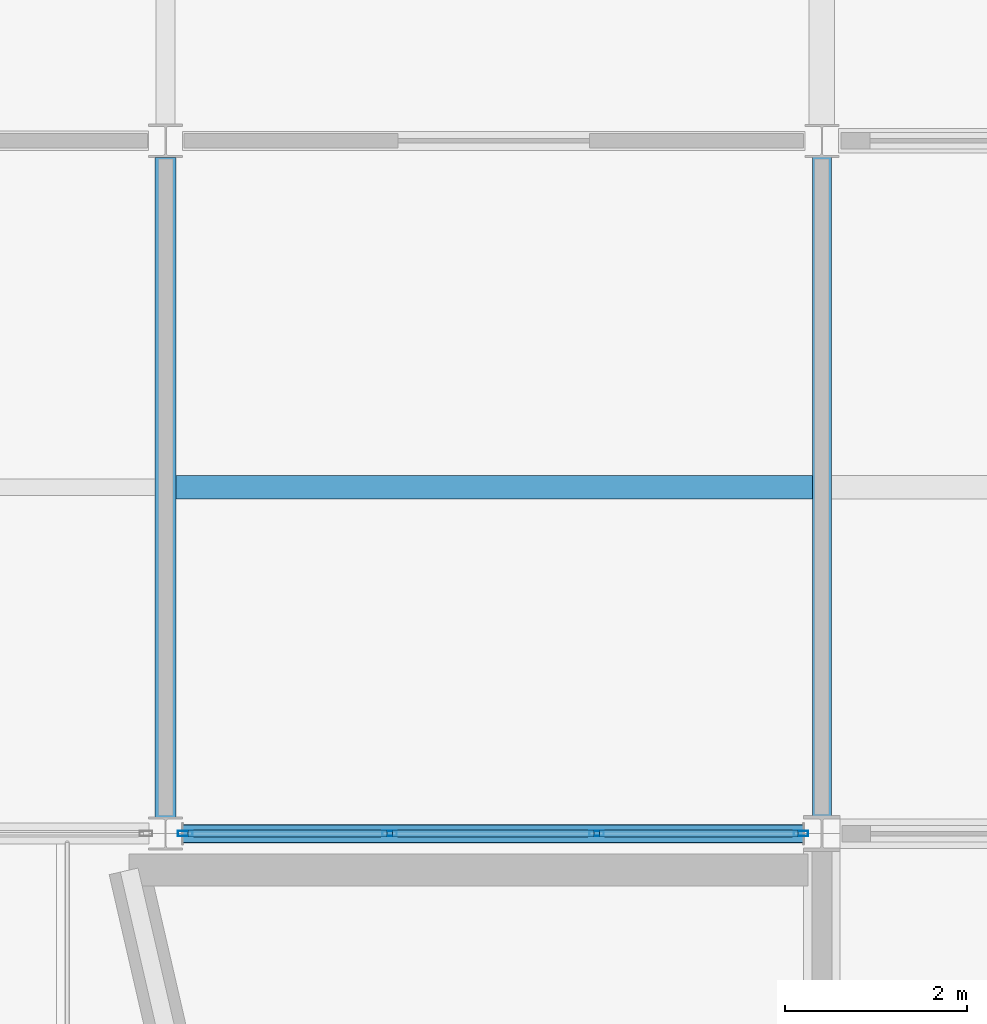
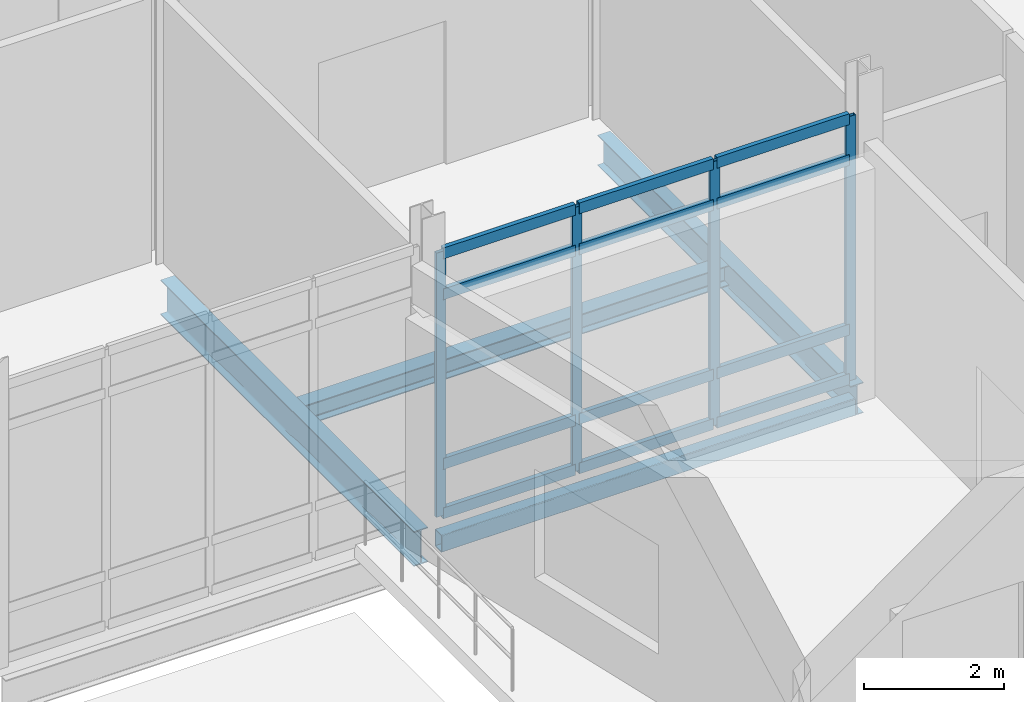
# One storey, part 29 of 229: 16 members, 4 beams, 1 element without a shape of its own.
"""IFC4 building model written with IfcOpenShell, lengths in metres."""

from ifc_helpers import new_model, si_unit, direction, frame, origin, origin_2d, place, context, subcontext, project, spatial, hollow_rectangle, i_section, extrude, material, layer, layer_set, material_profile, profile_set, type_object, element, aggregate, save


model = new_model("IFC4")

# Units and contexts
model_context = context("Model", 3, precision=1e-05, world=origin(), true_north=direction((0.0, 1.0)))
body_context = subcontext(model_context, "Body", "Model", "MODEL_VIEW")
ifc_project = project(units=[si_unit("LENGTHUNIT", "METRE"), si_unit("AREAUNIT", "SQUARE_METRE"), si_unit("VOLUMEUNIT", "CUBIC_METRE"), si_unit("PLANEANGLEUNIT", "RADIAN"), si_unit("MASSUNIT", "GRAM", prefix="KILO")], contexts=[model_context])

# Site, building, storey
site_placement = place(None, origin())
site = spatial("IfcSite", under=ifc_project, at=site_placement, CompositionType="ELEMENT")
building_placement = place(site_placement, origin())
building = spatial("IfcBuilding", under=site, at=building_placement, Name="Calvrana Isthmian Art Gallery", CompositionType="ELEMENT")
storey_placement = place(building_placement, origin())
storey = spatial("IfcBuildingStorey", under=building, at=storey_placement, Name="L00", CompositionType="ELEMENT", Elevation=0.0)

# Beams
ifc_material_1 = material(Name="Steel ASTM A992 Gr 50", Category="steel")
ifc_material_profile_1 = material_profile(ifc_material_1, i_section(OverallWidth=0.208984375, OverallDepth=0.532958984375, WebThickness=0.01025390625, FlangeThickness=0.015625, FilletRadius=0.02099609375, at=origin_2d()), Name="W21X62")
ifc_profile_set_1 = profile_set([ifc_material_profile_1], Name="Steel ASTM A992 Gr 50")
beam_type_1 = type_object("IfcBeamType", Name="BM-G-W21X62", PredefinedType="BEAM", material=ifc_profile_set_1)
beam_1_placement = place(storey_placement, frame((21.60009765625, 46.992919921875, -0.551513671875), z_axis=(0.0, 1.0, 0.0), x_axis=(-1.0, 0.0, 0.0)))
element("IfcBeam", 1, at=beam_1_placement, inside=storey, type_object=beam_type_1, Name="Girder Y L00 04/G-H", PredefinedType="BEAM", context=body_context, shape_type="SweptSolid", body=[
    extrude(i_section(OverallWidth=0.208984375, OverallDepth=0.532958984375, WebThickness=0.01025390625, FlangeThickness=0.015625, FilletRadius=0.02099609375, at=origin_2d()), origin(), (0.0, 0.0, 1.0), 7.22900390625),
])
ifc_material_profile_2 = material_profile(ifc_material_1, i_section(OverallWidth=0.22802734375, OverallDepth=0.60693359375, WebThickness=0.01123046875, FlangeThickness=0.017333984375, FilletRadius=0.02197265625, at=origin_2d()), Name="W24X76")
ifc_profile_set_2 = profile_set([ifc_material_profile_2], Name="Steel ASTM A992 Gr 50")
beam_type_2 = type_object("IfcBeamType", Name="BM-G-W24X76", PredefinedType="BEAM", material=ifc_profile_set_2)
beam_2_placement = place(storey_placement, frame((14.39990234375, 46.97802734375, -0.58837890625), z_axis=(0.0, 1.0, 0.0), x_axis=(-1.0, 0.0, 0.0)))
element("IfcBeam", 2, at=beam_2_placement, inside=storey, type_object=beam_type_2, Name="Girder Y L00 03/G-H", PredefinedType="BEAM", context=body_context, shape_type="SweptSolid", body=[
    extrude(i_section(OverallWidth=0.22802734375, OverallDepth=0.60693359375, WebThickness=0.01123046875, FlangeThickness=0.017333984375, FilletRadius=0.02197265625, at=origin_2d()), origin(), (0.0, 0.0, 1.0), 7.240478515625),
])
ifc_material_profile_3 = material_profile(ifc_material_1, i_section(OverallWidth=0.25390625, OverallDepth=0.35302734375, WebThickness=0.009521484375, FlangeThickness=0.016357421875, FilletRadius=0.01806640625, at=origin_2d()), Name="W14X61")
ifc_profile_set_3 = profile_set([ifc_material_profile_3], Name="Steel ASTM A992 Gr 50")
beam_type_3 = type_object("IfcBeamType", Name="BM-J-W14X61", PredefinedType="JOIST", material=ifc_profile_set_3)
beam_3_placement = place(storey_placement, frame((14.513916015625, 50.60009765625, -0.46142578125), z_axis=(1.0, 0.0, 0.0), x_axis=(0.0, 1.0, 0.0)))
element("IfcBeam", 3, at=beam_3_placement, inside=storey, type_object=beam_type_3, Name="Composite joist L00 bay 02-06", PredefinedType="JOIST", context=body_context, shape_type="SweptSolid", body=[
    extrude(i_section(OverallWidth=0.25390625, OverallDepth=0.35302734375, WebThickness=0.009521484375, FlangeThickness=0.016357421875, FilletRadius=0.01806640625, at=origin_2d()), origin(), (0.0, 0.0, 1.0), 6.981689453125),
])
ifc_material_2 = material(Name="Steel ASTM A500 Gr C", Category="steel")
ifc_material_profile_4 = material_profile(ifc_material_2, hollow_rectangle(XDim=0.203125, YDim=0.3046875, WallThickness=0.0126953125, OuterFilletRadius=0.02490234375, at=origin_2d()), Name="HSS305X203X12.7")
ifc_profile_set_4 = profile_set([ifc_material_profile_4], Name="Steel ASTM A500 Gr C")
beam_type_4 = type_object("IfcBeamType", Name="BM-SP-HSS305", PredefinedType="SPANDREL", material=ifc_profile_set_4)
beam_4_placement = place(storey_placement, frame((14.583984375, 46.800048828125, -0.4375), z_axis=(1.0, 0.0, 0.0), x_axis=(0.0, 1.0, 0.0)))
element("IfcBeam", 4, at=beam_4_placement, inside=storey, type_object=beam_type_4, Name="Girder X L00 03-04/G", PredefinedType="SPANDREL", context=body_context, shape_type="SweptSolid", body=[
    extrude(hollow_rectangle(XDim=0.203125, YDim=0.3046875, WallThickness=0.0126953125, OuterFilletRadius=0.02490234375, at=origin_2d()), origin(), (0.0, 0.0, 1.0), 6.81640625),
])

# Curtain wall, members
ifc_material_3 = material(Name="Anodized bronze aluminium 6063-T6", Category="aluminium")
ifc_layer = layer(ifc_material_3, 0.179931640625, Name="Anodized bronze aluminium 6063-T6")
ifc_layer_set = layer_set([ifc_layer], Name="Anodized bronze aluminium 6063-T6")
curtain_wall_type = type_object("IfcCurtainWallType", Name="CW-UNIT-068X46", PredefinedType="USERDEFINED", material=ifc_layer_set)
curtain_wall_placement = place(storey_placement, origin())
curtain_wall = element("IfcCurtainWall", 5, at=curtain_wall_placement, inside=storey, type_object=curtain_wall_type, Name="Curtain wall CW-019", ObjectType="UNITISED CURTAIN WALL", PredefinedType="USERDEFINED")
ifc_material_profile_5 = material_profile(ifc_material_3, hollow_rectangle(XDim=0.06005859375, YDim=0.159912109375, WallThickness=0.00390625, at=origin_2d()), Name="CWM60X160")
ifc_profile_set_5 = profile_set([ifc_material_profile_5], Name="Anodized bronze aluminium 6063-T6")
member_type_1 = type_object("IfcMemberType", Name="CWM-CWM60X160", PredefinedType="MULLION", material=ifc_profile_set_5)
member_1_placement = place(storey_placement, frame((21.37060546875, 46.800048828125, 0.0), z_axis=(0.0, 0.0, 1.0), x_axis=(0.0, -1.0, 0.0)))
member_1 = element("IfcMember", 6, at=member_1_placement, type_object=member_type_1, Name="CW-019 mullion 1", PredefinedType="MULLION", context=body_context, shape_type="SweptSolid", body=[
    extrude(hollow_rectangle(XDim=0.06005859375, YDim=0.159912109375, WallThickness=0.00390625, at=origin_2d()), origin(), (0.0, 0.0, 1.0), 4.60693359375),
])
member_2_placement = place(storey_placement, frame((19.12890625, 46.800048828125, 0.0), z_axis=(0.0, 0.0, 1.0), x_axis=(0.0, -1.0, 0.0)))
member_2 = element("IfcMember", 7, at=member_2_placement, type_object=member_type_1, Name="CW-019 mullion 2", PredefinedType="MULLION", context=body_context, shape_type="SweptSolid", body=[
    extrude(hollow_rectangle(XDim=0.06005859375, YDim=0.159912109375, WallThickness=0.00390625, at=origin_2d()), origin(), (0.0, 0.0, 1.0), 4.60693359375),
])
member_3_placement = place(storey_placement, frame((16.857177734375, 46.800048828125, 0.0), z_axis=(0.0, 0.0, 1.0), x_axis=(0.0, -1.0, 0.0)))
member_3 = element("IfcMember", 8, at=member_3_placement, type_object=member_type_1, Name="CW-019 mullion 3", PredefinedType="MULLION", context=body_context, shape_type="SweptSolid", body=[
    extrude(hollow_rectangle(XDim=0.06005859375, YDim=0.159912109375, WallThickness=0.00390625, at=origin_2d()), origin(), (0.0, 0.0, 1.0), 4.60693359375),
])
member_4_placement = place(storey_placement, frame((14.615478515625, 46.800048828125, 0.0), z_axis=(0.0, 0.0, 1.0), x_axis=(0.0, -1.0, 0.0)))
member_4 = element("IfcMember", 9, at=member_4_placement, type_object=member_type_1, Name="CW-019 mullion 4", PredefinedType="MULLION", context=body_context, shape_type="SweptSolid", body=[
    extrude(hollow_rectangle(XDim=0.06005859375, YDim=0.159912109375, WallThickness=0.00390625, at=origin_2d()), origin(), (0.0, 0.0, 1.0), 4.60693359375),
])
ifc_material_profile_6 = material_profile(ifc_material_3, hollow_rectangle(XDim=0.074951171875, YDim=0.18994140625, WallThickness=0.00439453125, at=origin_2d()), Name="CWT75X190")
ifc_profile_set_6 = profile_set([ifc_material_profile_6], Name="Anodized bronze aluminium 6063-T6")
member_type_2 = type_object("IfcMemberType", Name="CWT-CWT75X190", PredefinedType="USERDEFINED", material=ifc_profile_set_6)
member_5_placement = place(storey_placement, frame((21.340576171875, 46.800048828125, 0.03759765625), z_axis=(-1.0, 0.0, 0.0), x_axis=(0.0, -1.0, 0.0)))
member_5 = element("IfcMember", 10, at=member_5_placement, type_object=member_type_2, Name="CW-019 transom 1.1", ObjectType="TRANSOM", PredefinedType="USERDEFINED", context=body_context, shape_type="SweptSolid", body=[
    extrude(hollow_rectangle(XDim=0.074951171875, YDim=0.18994140625, WallThickness=0.00439453125, at=origin_2d()), origin(), (0.0, 0.0, 1.0), 2.181640625),
])
member_6_placement = place(storey_placement, frame((21.340576171875, 46.800048828125, 0.89990234375), z_axis=(-1.0, 0.0, 0.0), x_axis=(0.0, -1.0, 0.0)))
member_6 = element("IfcMember", 11, at=member_6_placement, type_object=member_type_2, Name="CW-019 transom 1.2", ObjectType="TRANSOM", PredefinedType="USERDEFINED", context=body_context, shape_type="SweptSolid", body=[
    extrude(hollow_rectangle(XDim=0.074951171875, YDim=0.18994140625, WallThickness=0.00439453125, at=origin_2d()), origin(), (0.0, 0.0, 1.0), 2.181640625),
])
member_7_placement = place(storey_placement, frame((21.340576171875, 46.800048828125, 3.85693359375), z_axis=(-1.0, 0.0, 0.0), x_axis=(0.0, -1.0, 0.0)))
member_7 = element("IfcMember", 12, at=member_7_placement, type_object=member_type_2, Name="CW-019 transom 1.3", ObjectType="TRANSOM", PredefinedType="USERDEFINED", context=body_context, shape_type="SweptSolid", body=[
    extrude(hollow_rectangle(XDim=0.074951171875, YDim=0.18994140625, WallThickness=0.00439453125, at=origin_2d()), origin(), (0.0, 0.0, 1.0), 2.181640625),
])
member_8_placement = place(storey_placement, frame((21.340576171875, 46.800048828125, 4.569580078125), z_axis=(-1.0, 0.0, 0.0), x_axis=(0.0, -1.0, 0.0)))
member_8 = element("IfcMember", 13, at=member_8_placement, type_object=member_type_2, Name="CW-019 transom 1.4", ObjectType="TRANSOM", PredefinedType="USERDEFINED", context=body_context, shape_type="SweptSolid", body=[
    extrude(hollow_rectangle(XDim=0.074951171875, YDim=0.18994140625, WallThickness=0.00439453125, at=origin_2d()), origin(), (0.0, 0.0, 1.0), 2.181640625),
])
member_9_placement = place(storey_placement, frame((19.098876953125, 46.800048828125, 0.03759765625), z_axis=(-1.0, 0.0, 0.0), x_axis=(0.0, -1.0, 0.0)))
member_9 = element("IfcMember", 14, at=member_9_placement, type_object=member_type_2, Name="CW-019 transom 2.1", ObjectType="TRANSOM", PredefinedType="USERDEFINED", context=body_context, shape_type="SweptSolid", body=[
    extrude(hollow_rectangle(XDim=0.074951171875, YDim=0.18994140625, WallThickness=0.00439453125, at=origin_2d()), origin(), (0.0, 0.0, 1.0), 2.211669921875),
])
member_10_placement = place(storey_placement, frame((19.098876953125, 46.800048828125, 0.89990234375), z_axis=(-1.0, 0.0, 0.0), x_axis=(0.0, -1.0, 0.0)))
member_10 = element("IfcMember", 15, at=member_10_placement, type_object=member_type_2, Name="CW-019 transom 2.2", ObjectType="TRANSOM", PredefinedType="USERDEFINED", context=body_context, shape_type="SweptSolid", body=[
    extrude(hollow_rectangle(XDim=0.074951171875, YDim=0.18994140625, WallThickness=0.00439453125, at=origin_2d()), origin(), (0.0, 0.0, 1.0), 2.211669921875),
])
member_11_placement = place(storey_placement, frame((19.098876953125, 46.800048828125, 3.85693359375), z_axis=(-1.0, 0.0, 0.0), x_axis=(0.0, -1.0, 0.0)))
member_11 = element("IfcMember", 16, at=member_11_placement, type_object=member_type_2, Name="CW-019 transom 2.3", ObjectType="TRANSOM", PredefinedType="USERDEFINED", context=body_context, shape_type="SweptSolid", body=[
    extrude(hollow_rectangle(XDim=0.074951171875, YDim=0.18994140625, WallThickness=0.00439453125, at=origin_2d()), origin(), (0.0, 0.0, 1.0), 2.211669921875),
])
member_12_placement = place(storey_placement, frame((19.098876953125, 46.800048828125, 4.569580078125), z_axis=(-1.0, 0.0, 0.0), x_axis=(0.0, -1.0, 0.0)))
member_12 = element("IfcMember", 17, at=member_12_placement, type_object=member_type_2, Name="CW-019 transom 2.4", ObjectType="TRANSOM", PredefinedType="USERDEFINED", context=body_context, shape_type="SweptSolid", body=[
    extrude(hollow_rectangle(XDim=0.074951171875, YDim=0.18994140625, WallThickness=0.00439453125, at=origin_2d()), origin(), (0.0, 0.0, 1.0), 2.211669921875),
])
member_13_placement = place(storey_placement, frame((16.8271484375, 46.800048828125, 0.03759765625), z_axis=(-1.0, 0.0, 0.0), x_axis=(0.0, -1.0, 0.0)))
member_13 = element("IfcMember", 18, at=member_13_placement, type_object=member_type_2, Name="CW-019 transom 3.1", ObjectType="TRANSOM", PredefinedType="USERDEFINED", context=body_context, shape_type="SweptSolid", body=[
    extrude(hollow_rectangle(XDim=0.074951171875, YDim=0.18994140625, WallThickness=0.00439453125, at=origin_2d()), origin(), (0.0, 0.0, 1.0), 2.181640625),
])
member_14_placement = place(storey_placement, frame((16.8271484375, 46.800048828125, 0.89990234375), z_axis=(-1.0, 0.0, 0.0), x_axis=(0.0, -1.0, 0.0)))
member_14 = element("IfcMember", 19, at=member_14_placement, type_object=member_type_2, Name="CW-019 transom 3.2", ObjectType="TRANSOM", PredefinedType="USERDEFINED", context=body_context, shape_type="SweptSolid", body=[
    extrude(hollow_rectangle(XDim=0.074951171875, YDim=0.18994140625, WallThickness=0.00439453125, at=origin_2d()), origin(), (0.0, 0.0, 1.0), 2.181640625),
])
member_15_placement = place(storey_placement, frame((16.8271484375, 46.800048828125, 3.85693359375), z_axis=(-1.0, 0.0, 0.0), x_axis=(0.0, -1.0, 0.0)))
member_15 = element("IfcMember", 20, at=member_15_placement, type_object=member_type_2, Name="CW-019 transom 3.3", ObjectType="TRANSOM", PredefinedType="USERDEFINED", context=body_context, shape_type="SweptSolid", body=[
    extrude(hollow_rectangle(XDim=0.074951171875, YDim=0.18994140625, WallThickness=0.00439453125, at=origin_2d()), origin(), (0.0, 0.0, 1.0), 2.181640625),
])
member_16_placement = place(storey_placement, frame((16.8271484375, 46.800048828125, 4.569580078125), z_axis=(-1.0, 0.0, 0.0), x_axis=(0.0, -1.0, 0.0)))
member_16 = element("IfcMember", 21, at=member_16_placement, type_object=member_type_2, Name="CW-019 transom 3.4", ObjectType="TRANSOM", PredefinedType="USERDEFINED", context=body_context, shape_type="SweptSolid", body=[
    extrude(hollow_rectangle(XDim=0.074951171875, YDim=0.18994140625, WallThickness=0.00439453125, at=origin_2d()), origin(), (0.0, 0.0, 1.0), 2.181640625),
])
aggregate(curtain_wall, [member_1, member_2, member_3, member_4, member_5, member_6, member_7, member_8, member_9, member_10, member_11, member_12, member_13, member_14, member_15, member_16])

save(model, "model.ifc")
